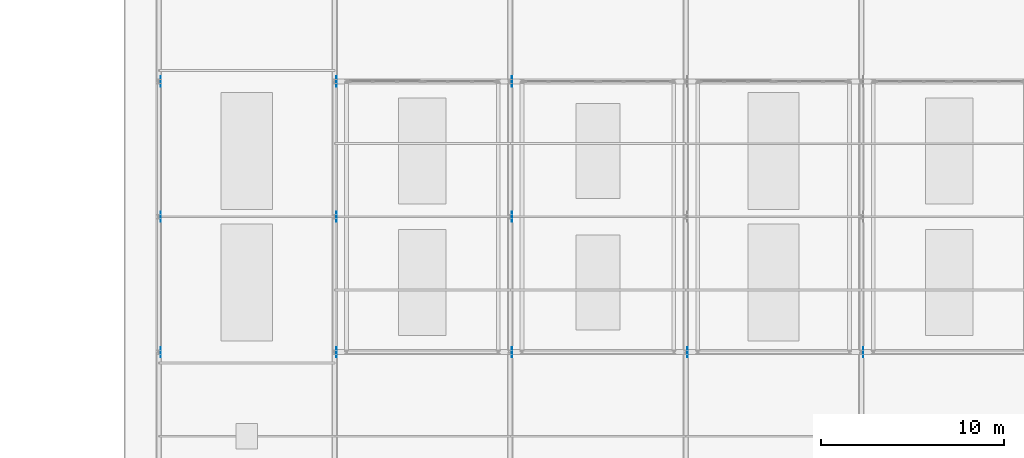
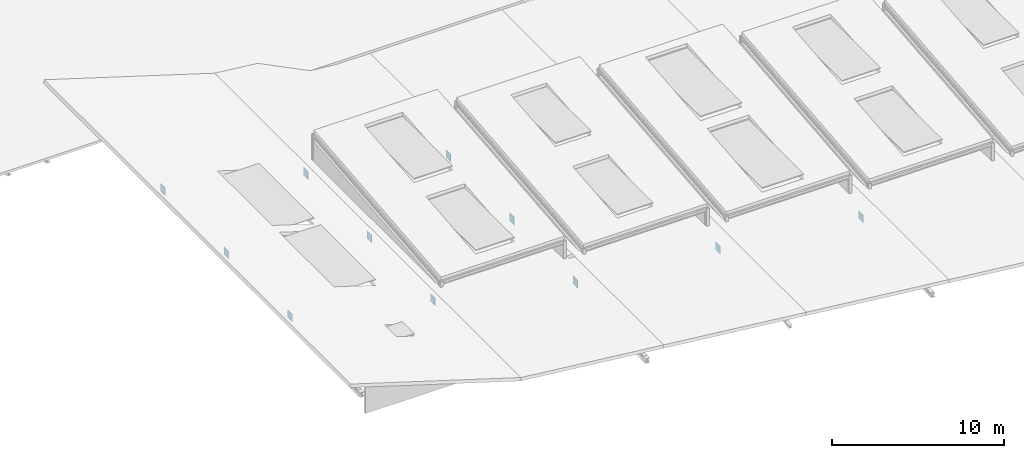
# One storey, part 28 of 30: 11 plates.
"""IFC4 building model written with IfcOpenShell, lengths in metres."""

from ifc_helpers import new_model, si_unit, direction, frame, origin, origin_2d, place, context, subcontext, project, spatial, rectangle, extrude, material, layer, layer_set, type_object, element, save


model = new_model("IFC4")

# Units and contexts
model_context = context("Model", 3, precision=1e-05, world=origin(), true_north=direction((0.0, 1.0)))
body_context = subcontext(model_context, "Body", "Model", "MODEL_VIEW")
ifc_project = project(units=[si_unit("LENGTHUNIT", "METRE"), si_unit("AREAUNIT", "SQUARE_METRE"), si_unit("VOLUMEUNIT", "CUBIC_METRE"), si_unit("PLANEANGLEUNIT", "RADIAN"), si_unit("MASSUNIT", "GRAM", prefix="KILO")], contexts=[model_context])

# Site, building, storey
site_placement = place(None, origin())
site = spatial("IfcSite", under=ifc_project, at=site_placement, CompositionType="ELEMENT")
building_placement = place(site_placement, origin())
building = spatial("IfcBuilding", under=site, at=building_placement, Name="Alderhovde Museum", CompositionType="ELEMENT")
storey_placement = place(building_placement, frame((0.0, 0.0, 30.699951171875)))
storey = spatial("IfcBuildingStorey", under=building, at=storey_placement, Name="RF", CompositionType="ELEMENT", Elevation=30.699951171875)

# Plates
ifc_material = material(Name="Steel S355J2", Category="steel")
ifc_layer = layer(ifc_material, 0.02197265625)
ifc_layer_set = layer_set([ifc_layer], Name="Steel S355J2")
plate_type = type_object("IfcPlateType", Name="PLT-GUSSET-22", PredefinedType="USERDEFINED", material=ifc_layer_set)
for number, where, z_axis, x_axis, name in (
    (1, (9.699951171875, 56.60009765625, -0.179931640625), (0.0, 0.0, 1.0), (1.0, 0.0, 0.0), "Sawtooth Truss Gusset Plate X=9.6-1"),
    (2, (9.699951171875, 64.0, -0.179931640625), (0.0, 0.0, 1.0), (1.0, 0.0, 0.0), "Sawtooth Truss Gusset Plate X=9.6-2"),
    (3, (9.699951171875, 71.39990234375, -0.179931640625), (0.0, 0.0, 1.0), (1.0, 0.0, 0.0), "Sawtooth Truss Gusset Plate X=9.6-3"),
    (4, (19.300048828125, 56.60009765625, -2.3798828125), (0.0, 0.0, 1.0), (1.0, 0.0, 0.0), "Sawtooth Truss Gusset Plate X=19.2-1"),
    (5, (19.300048828125, 64.0, -2.3798828125), (0.0, 0.0, 1.0), (1.0, 0.0, 0.0), "Sawtooth Truss Gusset Plate X=19.2-2"),
    (6, (19.300048828125, 71.39990234375, -2.3798828125), (0.0, 0.0, 1.0), (1.0, 0.0, 0.0), "Sawtooth Truss Gusset Plate X=19.2-3"),
    (7, (28.89990234375, 56.60009765625, -4.48828125), (0.0, 0.0, 1.0), (1.0, 0.0, 0.0), "Sawtooth Truss Gusset Plate X=28.8-1"),
    (8, (28.89990234375, 64.0, -4.48828125), (0.0, 0.0, 1.0), (1.0, 0.0, 0.0), "Sawtooth Truss Gusset Plate X=28.8-2"),
    (9, (28.89990234375, 71.39990234375, -4.48828125), (0.0, 0.0, 1.0), (1.0, 0.0, 0.0), "Sawtooth Truss Gusset Plate X=28.8-3"),
    (10, (38.5, 56.60009765625, -5.43994140625), (0.0, 0.0, 1.0), (1.0, 0.0, 0.0), "Sawtooth Truss Gusset Plate X=38.4-1"),
    (11, (48.10009765625, 56.60009765625, -6.56494140625), (0.0, 0.0, 1.0), (1.0, 0.0, 0.0), "Sawtooth Truss Gusset Plate X=48.0-1"),
):
    element("IfcPlate", number, at=place(storey_placement, frame(where, z_axis=z_axis, x_axis=x_axis)), inside=storey, type_object=plate_type, Name=name, ObjectType="GUSSET PLATE", PredefinedType="USERDEFINED", context=body_context, shape_type="SweptSolid", body=[
        extrude(rectangle(XDim=0.02197265625, YDim=0.56005859375, at=origin_2d()), origin(), (0.0, 0.0, 1.0), 0.56005859375),
    ])

save(model, "model.ifc")
